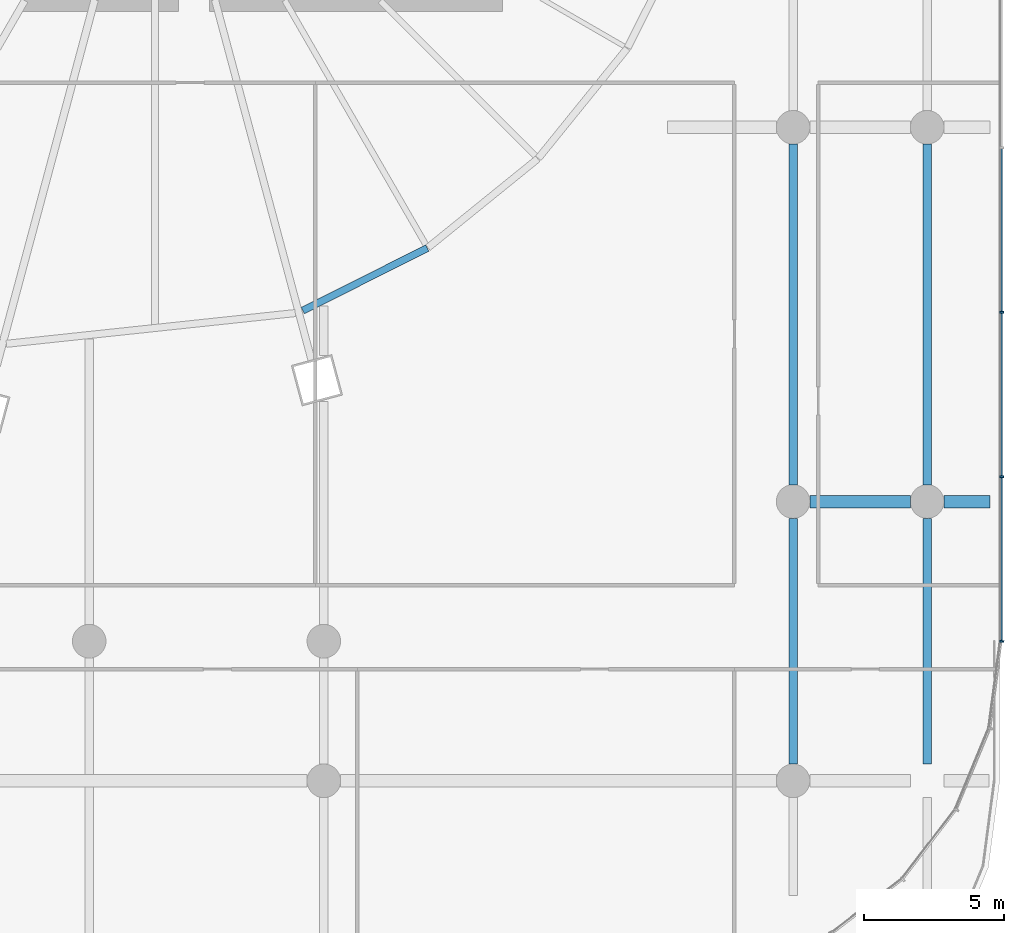
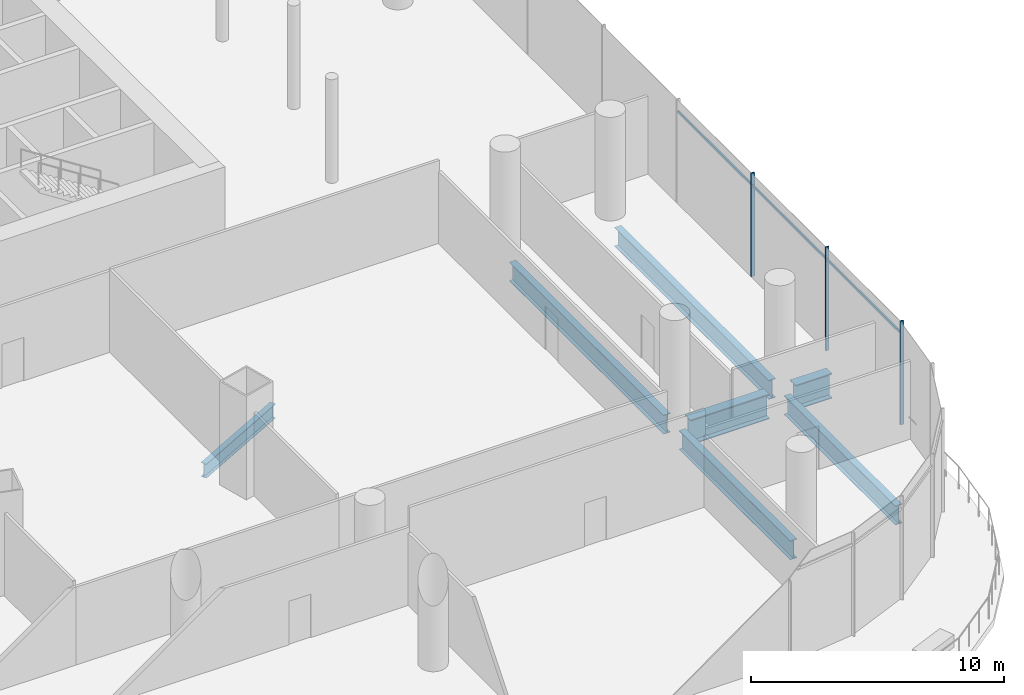
# One storey, part 17 of 51: 7 beams, 6 members, 1 element without a shape of its own.
"""IFC4 building model written with IfcOpenShell, lengths in metres."""

import ifcopenshell
import ifcopenshell.guid

model = None  # the IFC model being written
_history = None  # IfcOwnerHistory: only IFC2X3 demands one
_inside = {}  # id of a spatial element -> (the spatial element, [elements in it])
_under = {}  # id of a project, library or spatial element -> (it, [spatial elements below it])
_declared = {}  # id of a project -> (the project, [libraries it declares])
_typed = {}  # id of a type object -> (the type object, [elements of that type])
_made_of = {}  # id of a material, layer set ... -> (it, [elements and type objects made of it])


def new_model(schema):
    """Start an empty IFC model of exactly this schema.

    Asked for "IFC4X3", IfcOpenShell would pick the latest addendum, in which some entities
    have other attributes; the version numbers below select the first issue.
    IFC2X3 requires an IfcOwnerHistory on every rooted entity: one is made here for all.
    """
    global model, _history
    if schema == "IFC4X3":
        model = ifcopenshell.file(schema_version=(4, 3, 0, 0))
    else:
        model = ifcopenshell.file(schema=schema)
    _inside.clear()
    _under.clear()
    _declared.clear()
    _typed.clear()
    _made_of.clear()
    _history = None
    if model.schema == "IFC2X3":
        org = make("IfcOrganization", Name="unknown")
        user = make(
            "IfcPersonAndOrganization",
            ThePerson=make("IfcPerson", FamilyName="unknown"),
            TheOrganization=org,
        )
        app = make(
            "IfcApplication",
            ApplicationDeveloper=org,
            Version="unknown",
            ApplicationFullName="unknown",
            ApplicationIdentifier="unknown",
        )
        _history = make(
            "IfcOwnerHistory",
            OwningUser=user,
            OwningApplication=app,
            ChangeAction="ADDED",
            CreationDate=0,
        )
    return model


def make(cls, **values):
    """One entity of the class cls with the attributes given. An attribute that is None is left unset."""
    return model.create_entity(
        cls, **{name: value for name, value in values.items() if value is not None}
    )


def rooted(cls, **values):
    """An entity with a GlobalId (a new one), such as an element, a storey or a relation."""
    return make(cls, GlobalId=ifcopenshell.guid.new(), OwnerHistory=_history, **values)


def si_unit(unit_type, name, prefix=None):
    """IfcSIUnit, for example si_unit("LENGTHUNIT", "METRE", prefix="MILLI")."""
    return make("IfcSIUnit", UnitType=unit_type, Prefix=prefix, Name=name)


def assignment(units):
    """IfcUnitAssignment: the units of a project."""
    return None if units is None else make("IfcUnitAssignment", Units=units)


def point(xyz):
    """IfcCartesianPoint."""
    return None if xyz is None else make("IfcCartesianPoint", Coordinates=xyz)


def direction(xyz):
    """IfcDirection."""
    return None if xyz is None else make("IfcDirection", DirectionRatios=xyz)


def frame(location, z_axis=None, x_axis=None):
    """IfcAxis2Placement3D, a coordinate frame: its origin and axes. An axis left out is left unset."""
    return make(
        "IfcAxis2Placement3D",
        Location=point(location),
        Axis=direction(z_axis),
        RefDirection=direction(x_axis),
    )


def frame_2d(location, x_axis=None):
    """IfcAxis2Placement2D, a coordinate frame in the plane: its origin and x axis."""
    return make(
        "IfcAxis2Placement2D", Location=point(location), RefDirection=direction(x_axis)
    )


def origin():
    """The frame at (0, 0, 0) with its axes left unset."""
    return frame((0.0, 0.0, 0.0))


def origin_2d():
    """The frame at (0, 0) in the plane with its x axis left unset."""
    return frame_2d((0.0, 0.0))


def place(relative_to, where):
    """IfcLocalPlacement: puts the frame where relative to a parent placement (None: the world)."""
    return make(
        "IfcLocalPlacement", PlacementRelTo=relative_to, RelativePlacement=where
    )


def context(
    kind, dimensions, precision=None, world=None, true_north=None, identifier=None
):
    """IfcGeometricRepresentationContext, for example the 3D "Model" context."""
    return make(
        "IfcGeometricRepresentationContext",
        ContextIdentifier=identifier,
        ContextType=kind,
        CoordinateSpaceDimension=dimensions,
        Precision=precision,
        WorldCoordinateSystem=world,
        TrueNorth=true_north,
    )


def subcontext(parent, identifier, kind, view, scale=None):
    """IfcGeometricRepresentationSubContext, for example "Body" below "Model"."""
    return make(
        "IfcGeometricRepresentationSubContext",
        ContextIdentifier=identifier,
        ContextType=kind,
        ParentContext=parent,
        TargetScale=scale,
        TargetView=view,
    )


def project(units=None, contexts=None):
    """IfcProject with its units and contexts."""
    return rooted(
        "IfcProject",
        Name="project",
        RepresentationContexts=contexts,
        UnitsInContext=assignment(units),
    )


def spatial(cls, under=None, at=None, **own):
    """A site, building, storey or space (cls), placed at a placement, below another one or the project."""
    s = rooted(cls, ObjectPlacement=at, **own)
    if under is not None:
        _under.setdefault(under.id(), (under, []))[1].append(s)
    return s


def profile(cls, at=None, kind="AREA", **sizes):
    """A parametric profile (cls). Its sizes go by their IFC names, for example OverallWidth=200.0."""
    return make(cls, ProfileType=kind, Position=at, **sizes)


def rectangle(**sizes):
    """IfcRectangleProfileDef."""
    return profile("IfcRectangleProfileDef", **sizes)


def i_section(**sizes):
    """IfcIShapeProfileDef."""
    return profile("IfcIShapeProfileDef", **sizes)


def extrude(swept, where, along, depth):
    """IfcExtrudedAreaSolid: the profile swept, set in the frame where, extruded along a direction by depth."""
    return make(
        "IfcExtrudedAreaSolid",
        SweptArea=swept,
        Position=where,
        ExtrudedDirection=direction(along),
        Depth=depth,
    )


def shape(context_of_items, identifier, shape_type, items):
    """IfcShapeRepresentation: the items that make up one representation, for example the "Body"."""
    return make(
        "IfcShapeRepresentation",
        ContextOfItems=context_of_items,
        RepresentationIdentifier=identifier,
        RepresentationType=shape_type,
        Items=items,
    )


def material(Name=None, Category=None):
    """IfcMaterial."""
    return make("IfcMaterial", Name=Name, Category=Category)


def material_profile(
    of_material, cross_section, Name=None, Category=None, Priority=None
):
    """IfcMaterialProfile: a cross section and its material."""
    return make(
        "IfcMaterialProfile",
        Name=Name,
        Material=of_material,
        Profile=cross_section,
        Priority=Priority,
        Category=Category,
    )


def profile_set(profiles, Name=None, composite=None):
    """IfcMaterialProfileSet."""
    return make(
        "IfcMaterialProfileSet",
        Name=Name,
        MaterialProfiles=profiles,
        CompositeProfile=composite,
    )


def made_of(thing, what):
    """Note that an element or type object is made of a material, layer set ...; save() writes the relation."""
    if what is not None:
        _made_of.setdefault(what.id(), (what, []))[1].append(thing)
    return thing


def type_object(cls, material=None, **own):
    """A type object (cls), such as IfcWallType, which elements share."""
    return made_of(rooted(cls, **own), material)


def element(
    cls,
    number,
    at=None,
    inside=None,
    cuts=None,
    type_object=None,
    material=None,
    context=None,
    identifier="Body",
    shape_type=None,
    held_by="IfcProductDefinitionShape",
    body=None,
    shapes=None,
    **own,
):
    """One element of the class cls, such as IfcWall. Its Tag is "e" and its number.

    at: its placement. inside: the storey or other place that contains it. cuts: it is an
    opening in that element (IfcRelVoidsElement). A single representation is given by context,
    identifier, shape_type and body (its items); several are given by shapes. held_by: the class
    of the entity that holds the representations. save() writes the other relations.
    """
    e = rooted(cls, Tag="e%d" % number, ObjectPlacement=at, **own)
    if body is not None:
        shapes = [shape(context, identifier, shape_type, body)]
    if shapes is not None:
        e.Representation = make(held_by, Representations=shapes)
    if inside is not None:
        _inside.setdefault(inside.id(), (inside, []))[1].append(e)
    if cuts is not None:
        rooted(
            "IfcRelVoidsElement", RelatingBuildingElement=cuts, RelatedOpeningElement=e
        )
    if type_object is not None:
        _typed.setdefault(type_object.id(), (type_object, []))[1].append(e)
    return made_of(e, material)


def aggregate(whole, parts):
    """IfcRelAggregates: a whole, such as a stair, and the parts it consists of."""
    return rooted("IfcRelAggregates", RelatingObject=whole, RelatedObjects=parts)


def save(model, path):
    """Write the relations noted so far, then the file.

    IfcRelAggregates (storeys below a building ...), IfcRelContainedInSpatialStructure (elements
    in a storey), IfcRelDefinesByType, IfcRelAssociatesMaterial and IfcRelDeclares: one each for
    every whole, place, type object, material and project.
    """
    for whole, parts in _under.values():
        aggregate(whole, parts)
    for where, things in _inside.values():
        rooted(
            "IfcRelContainedInSpatialStructure",
            RelatedElements=things,
            RelatingStructure=where,
        )
    for kind, things in _typed.values():
        rooted("IfcRelDefinesByType", RelatedObjects=things, RelatingType=kind)
    for what, things in _made_of.values():
        rooted("IfcRelAssociatesMaterial", RelatedObjects=things, RelatingMaterial=what)
    for by, libraries in _declared.values():
        rooted("IfcRelDeclares", RelatingContext=by, RelatedDefinitions=libraries)
    model.write(path)


model = new_model("IFC4")

# Units and contexts
model_context = context("Model", 3, precision=1e-05, world=origin(), true_north=direction((0.0, 1.0)))
body_context = subcontext(model_context, "Body", "Model", "MODEL_VIEW")
ifc_project = project(units=[si_unit("LENGTHUNIT", "METRE"), si_unit("AREAUNIT", "SQUARE_METRE"), si_unit("VOLUMEUNIT", "CUBIC_METRE"), si_unit("PLANEANGLEUNIT", "RADIAN"), si_unit("MASSUNIT", "GRAM", prefix="KILO")], contexts=[model_context])

# Site, building, storey
site_placement = place(None, origin())
site = spatial("IfcSite", under=ifc_project, at=site_placement, CompositionType="ELEMENT")
building_placement = place(site_placement, origin())
building = spatial("IfcBuilding", under=site, at=building_placement, Name="Rimbun Link Towers", CompositionType="ELEMENT")
storey_placement = place(building_placement, frame((0.0, 0.0, 7.0)))
storey = spatial("IfcBuildingStorey", under=building, at=storey_placement, Name="L01", CompositionType="ELEMENT", Elevation=7.0)

# Curtain wall, members
ifc_material_1 = material(Name="Aluminium 6063-T6 and low-iron glass", Category="aluminium")
curtain_wall_type = type_object("IfcCurtainWallType", Name="CW3 podium shopfront", PredefinedType="NOTDEFINED", material=ifc_material_1)
curtain_wall_placement = place(storey_placement, origin())
curtain_wall = element("IfcCurtainWall", 1, at=curtain_wall_placement, inside=storey, type_object=curtain_wall_type, Name="CW3 L01 PD", PredefinedType="NOTDEFINED")
ifc_material_2 = material(Name="Aluminium 6063-T6", Category="aluminium")
ifc_material_profile_1 = material_profile(ifc_material_2, rectangle(XDim=0.14990234375, YDim=0.06005859375, at=origin_2d()), Name="MULLION 60X150")
ifc_profile_set_1 = profile_set([ifc_material_profile_1], Name="Aluminium 6063-T6")
member_type_1 = type_object("IfcMemberType", Name="CW3 mullion 60X150", PredefinedType="MULLION", material=ifc_profile_set_1)
member_1_placement = place(storey_placement, frame((62.074951171875, -31.0048828125, 0.0), z_axis=(0.0, 0.0, 1.0), x_axis=(0.997858781723, -0.065405288299, 0.0)))
member_1 = element("IfcMember", 2, at=member_1_placement, type_object=member_type_1, Name="CW3 mullion", PredefinedType="MULLION", context=body_context, shape_type="SweptSolid", body=[
    extrude(rectangle(XDim=0.14990234375, YDim=0.06005859375, at=origin_2d()), origin(), (0.0, 0.0, 1.0), 5.0),
])
member_2_placement = place(storey_placement, frame((62.074951171875, -25.111083984375, 0.0), z_axis=(0.0, 0.0, 1.0), x_axis=(1.0, 0.0, 0.0)))
member_2 = element("IfcMember", 3, at=member_2_placement, type_object=member_type_1, Name="CW3 mullion", PredefinedType="MULLION", context=body_context, shape_type="SweptSolid", body=[
    extrude(rectangle(XDim=0.14990234375, YDim=0.06005859375, at=origin_2d()), origin(), (0.0, 0.0, 1.0), 5.0),
])
member_3_placement = place(storey_placement, frame((62.074951171875, -19.22216796875, 0.0), z_axis=(0.0, 0.0, 1.0), x_axis=(1.0, 0.0, 0.0)))
member_3 = element("IfcMember", 4, at=member_3_placement, type_object=member_type_1, Name="CW3 mullion", PredefinedType="MULLION", context=body_context, shape_type="SweptSolid", body=[
    extrude(rectangle(XDim=0.14990234375, YDim=0.06005859375, at=origin_2d()), origin(), (0.0, 0.0, 1.0), 5.0),
])
ifc_material_3 = material(Name="Aluminium 6063-T6", Category="aluminium")
ifc_material_profile_2 = material_profile(ifc_material_3, rectangle(XDim=0.06005859375, YDim=0.1201171875, at=origin_2d()), Name="TRANSOM 60X120")
ifc_profile_set_2 = profile_set([ifc_material_profile_2], Name="Aluminium 6063-T6")
member_type_2 = type_object("IfcMemberType", Name="CW3 transom 60X120", PredefinedType="USERDEFINED", material=ifc_profile_set_2)
member_4_placement = place(storey_placement, frame((62.053955078125, -25.14111328125, 4.39990234375), z_axis=(0.0, -1.0, 0.0), x_axis=(1.0, 0.0, 0.0)))
member_4 = element("IfcMember", 5, at=member_4_placement, type_object=member_type_2, Name="CW3 transom", ObjectType="TRANSOM", PredefinedType="USERDEFINED", context=body_context, shape_type="SweptSolid", body=[
    extrude(rectangle(XDim=0.06005859375, YDim=0.1201171875, at=origin_2d()), origin(), (0.0, 0.0, 1.0), 5.828857421875),
])
member_5_placement = place(storey_placement, frame((62.053955078125, -19.252197265625, 4.39990234375), z_axis=(0.0, -1.0, 0.0), x_axis=(1.0, 0.0, 0.0)))
member_5 = element("IfcMember", 6, at=member_5_placement, type_object=member_type_2, Name="CW3 transom", ObjectType="TRANSOM", PredefinedType="USERDEFINED", context=body_context, shape_type="SweptSolid", body=[
    extrude(rectangle(XDim=0.06005859375, YDim=0.1201171875, at=origin_2d()), origin(), (0.0, 0.0, 1.0), 5.828857421875),
])
member_6_placement = place(storey_placement, frame((62.053955078125, -13.36328125, 4.39990234375), z_axis=(0.0, -1.0, 0.0), x_axis=(1.0, 0.0, 0.0)))
member_6 = element("IfcMember", 7, at=member_6_placement, type_object=member_type_2, Name="CW3 transom", ObjectType="TRANSOM", PredefinedType="USERDEFINED", context=body_context, shape_type="SweptSolid", body=[
    extrude(rectangle(XDim=0.06005859375, YDim=0.1201171875, at=origin_2d()), origin(), (0.0, 0.0, 1.0), 5.828857421875),
])
aggregate(curtain_wall, [member_1, member_2, member_3, member_4, member_5, member_6])

# Beams
ifc_material_4 = material(Name="Steel S355J2", Category="steel")
ifc_material_profile_3 = material_profile(ifc_material_4, i_section(OverallWidth=0.449951171875, OverallDepth=1.199951171875, WebThickness=0.030029296875, FlangeThickness=0.044921875, at=origin_2d()), Name="PG 1200x450x30/45")
ifc_profile_set_3 = profile_set([ifc_material_profile_3], Name="Steel S355J2")
beam_type_1 = type_object("IfcBeamType", Name="PG 1200x450x30/45", PredefinedType="BEAM", material=ifc_profile_set_3)
beam_1_placement = place(storey_placement, frame((55.199951171875, -26.0, -0.89990234375), z_axis=(1.0, 0.0, 0.0), x_axis=(0.0, 1.0, 0.0)))
element("IfcBeam", 8, at=beam_1_placement, inside=storey, type_object=beam_type_1, Name="Grid beam L01 -26.0", PredefinedType="BEAM", context=body_context, shape_type="SweptSolid", body=[
    extrude(i_section(OverallWidth=0.449951171875, OverallDepth=1.199951171875, WebThickness=0.030029296875, FlangeThickness=0.044921875, at=origin_2d()), origin(), (0.0, 0.0, 1.0), 3.60009765625),
])
beam_2_placement = place(storey_placement, frame((60.0, -26.0, -0.89990234375), z_axis=(1.0, 0.0, 0.0), x_axis=(0.0, 1.0, 0.0)))
element("IfcBeam", 9, at=beam_2_placement, inside=storey, type_object=beam_type_1, Name="Grid beam L01 -26.0", PredefinedType="BEAM", context=body_context, shape_type="SweptSolid", body=[
    extrude(i_section(OverallWidth=0.449951171875, OverallDepth=1.199951171875, WebThickness=0.030029296875, FlangeThickness=0.044921875, at=origin_2d()), origin(), (0.0, 0.0, 1.0), 1.649169921875),
])
ifc_material_5 = material(Name="Steel S355J2", Category="steel")
ifc_material_profile_4 = material_profile(ifc_material_5, i_section(OverallWidth=0.253662109375, OverallDepth=0.68359375, WebThickness=0.012451171875, FlangeThickness=0.01904296875, at=origin_2d()), Name="UB 686x254x140")
ifc_profile_set_4 = profile_set([ifc_material_profile_4], Name="Steel S355J2")
beam_type_2 = type_object("IfcBeamType", Name="UB 686x254x140", PredefinedType="BEAM", material=ifc_profile_set_4)
beam_3_placement = place(storey_placement, frame((37.044921875, -19.167724609375, -0.641845703125), z_axis=(0.893427268905, 0.44920787524, 0.0), x_axis=(-0.44920787524, 0.893427268905, 0.0)))
element("IfcBeam", 10, at=beam_3_placement, inside=storey, type_object=beam_type_2, Name="Edge beam T2 L01 16", PredefinedType="BEAM", context=body_context, shape_type="SweptSolid", body=[
    extrude(i_section(OverallWidth=0.253662109375, OverallDepth=0.68359375, WebThickness=0.012451171875, FlangeThickness=0.01904296875, at=origin_2d()), origin(), (0.0, 0.0, 1.0), 4.991943359375),
])
ifc_material_6 = material(Name="Steel S355J2", Category="steel")
ifc_material_profile_5 = material_profile(ifc_material_6, i_section(OverallWidth=0.305419921875, OverallDepth=0.91845703125, WebThickness=0.017333984375, FlangeThickness=0.02783203125, at=origin_2d()), Name="UB 914x305x253")
ifc_profile_set_5 = profile_set([ifc_material_profile_5], Name="Steel S355J2")
beam_type_3 = type_object("IfcBeamType", Name="UB 914x305x253", PredefinedType="BEAM", material=ifc_profile_set_5)
beam_4_placement = place(storey_placement, frame((54.60009765625, -35.39990234375, -0.75927734375), z_axis=(0.0, 1.0, 0.0), x_axis=(-1.0, 0.0, 0.0)))
element("IfcBeam", 11, at=beam_4_placement, inside=storey, type_object=beam_type_3, Name="Grid beam L01 +54.6", PredefinedType="BEAM", context=body_context, shape_type="SweptSolid", body=[
    extrude(i_section(OverallWidth=0.305419921875, OverallDepth=0.91845703125, WebThickness=0.017333984375, FlangeThickness=0.02783203125, at=origin_2d()), origin(), (0.0, 0.0, 1.0), 8.7998046875),
])
beam_5_placement = place(storey_placement, frame((54.60009765625, -25.39990234375, -0.75927734375), z_axis=(0.0, 1.0, 0.0), x_axis=(-1.0, 0.0, 0.0)))
element("IfcBeam", 12, at=beam_5_placement, inside=storey, type_object=beam_type_3, Name="Grid beam L01 +54.6", PredefinedType="BEAM", context=body_context, shape_type="SweptSolid", body=[
    extrude(i_section(OverallWidth=0.305419921875, OverallDepth=0.91845703125, WebThickness=0.017333984375, FlangeThickness=0.02783203125, at=origin_2d()), origin(), (0.0, 0.0, 1.0), 12.199951171875),
])
beam_6_placement = place(storey_placement, frame((59.39990234375, -35.39990234375, -0.75927734375), z_axis=(0.0, 1.0, 0.0), x_axis=(-1.0, 0.0, 0.0)))
element("IfcBeam", 13, at=beam_6_placement, inside=storey, type_object=beam_type_3, Name="Grid beam L01 +59.4", PredefinedType="BEAM", context=body_context, shape_type="SweptSolid", body=[
    extrude(i_section(OverallWidth=0.305419921875, OverallDepth=0.91845703125, WebThickness=0.017333984375, FlangeThickness=0.02783203125, at=origin_2d()), origin(), (0.0, 0.0, 1.0), 8.7998046875),
])
beam_7_placement = place(storey_placement, frame((59.39990234375, -25.39990234375, -0.75927734375), z_axis=(0.0, 1.0, 0.0), x_axis=(-1.0, 0.0, 0.0)))
element("IfcBeam", 14, at=beam_7_placement, inside=storey, type_object=beam_type_3, Name="Grid beam L01 +59.4", PredefinedType="BEAM", context=body_context, shape_type="SweptSolid", body=[
    extrude(i_section(OverallWidth=0.305419921875, OverallDepth=0.91845703125, WebThickness=0.017333984375, FlangeThickness=0.02783203125, at=origin_2d()), origin(), (0.0, 0.0, 1.0), 12.199951171875),
])

save(model, "model.ifc")
